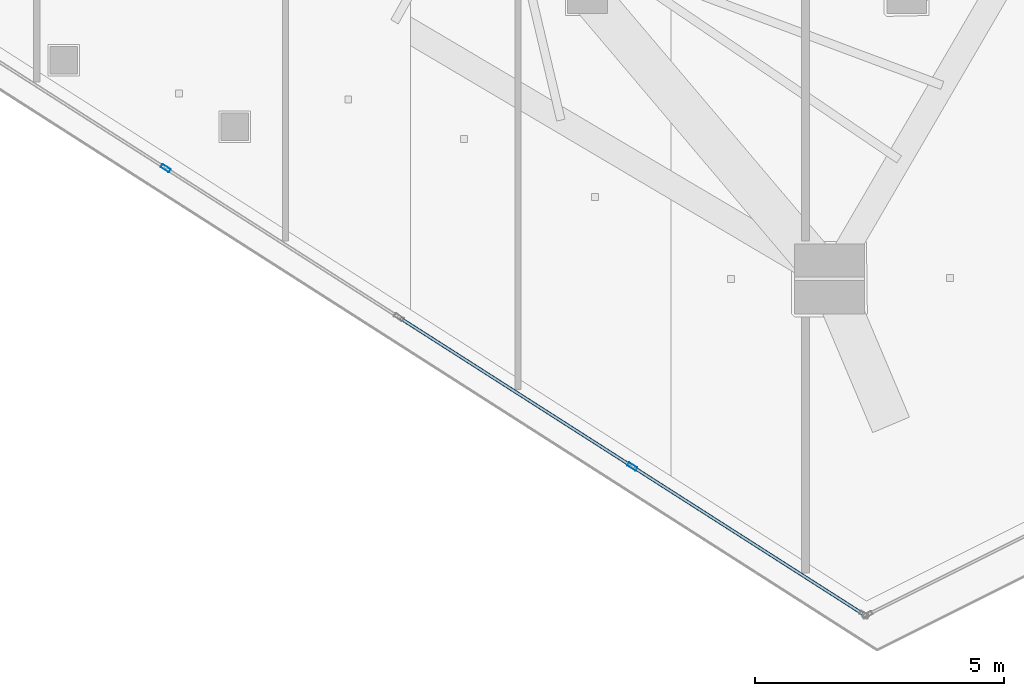
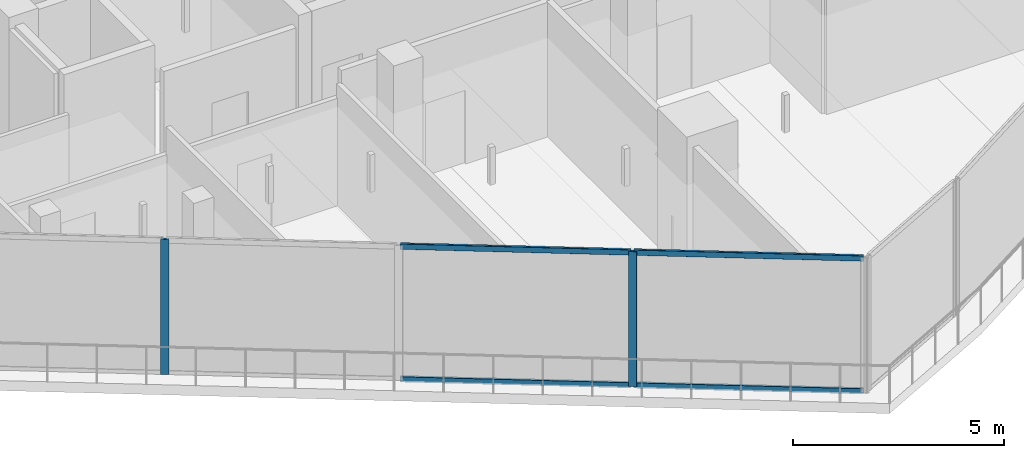
# One storey, part 3 of 29: 6 members, 1 element without a shape of its own.
"""IFC4 building model written with IfcOpenShell, lengths in metres."""

from ifc_helpers import new_model, si_unit, direction, frame, origin, origin_2d, place, context, subcontext, project, spatial, hollow_rectangle, extrude, material, layer, layer_set, material_profile, profile_set, type_object, element, aggregate, save


model = new_model("IFC4")

# Units and contexts
model_context = context("Model", 3, precision=1e-05, world=origin(), true_north=direction((0.0, 1.0)))
body_context = subcontext(model_context, "Body", "Model", "MODEL_VIEW")
ifc_project = project(units=[si_unit("LENGTHUNIT", "METRE"), si_unit("AREAUNIT", "SQUARE_METRE"), si_unit("VOLUMEUNIT", "CUBIC_METRE"), si_unit("PLANEANGLEUNIT", "RADIAN"), si_unit("MASSUNIT", "GRAM", prefix="KILO")], contexts=[model_context])

# Site, building, storey
site_placement = place(None, origin())
site = spatial("IfcSite", under=ifc_project, at=site_placement, CompositionType="ELEMENT")
building_placement = place(site_placement, origin())
building = spatial("IfcBuilding", under=site, at=building_placement, Name="Qorvath Tower", CompositionType="ELEMENT")
storey_placement = place(building_placement, frame((0.0, 0.0, 285.0)))
storey = spatial("IfcBuildingStorey", under=building, at=storey_placement, Name="L66", CompositionType="ELEMENT", Elevation=285.0)

# Curtain wall, members
ifc_material_1 = material(Name="Anodised aluminium and triple low-E glass", Category="aluminium")
ifc_layer = layer(ifc_material_1, 0.179931640625)
ifc_layer_set = layer_set([ifc_layer], Name="CW-SYS-4")
curtain_wall_type = type_object("IfcCurtainWallType", Name="CW-SYS-4", PredefinedType="NOTDEFINED", material=ifc_layer_set)
curtain_wall_placement = place(storey_placement, origin())
curtain_wall = element("IfcCurtainWall", 1, at=curtain_wall_placement, inside=storey, type_object=curtain_wall_type, Name="Curtain Wall CW-4 CW-T-L66-2.1", PredefinedType="NOTDEFINED")
ifc_material_2 = material(Name="Anodised aluminium 6063-T6", Category="aluminium")
ifc_material_profile_1 = material_profile(ifc_material_2, hollow_rectangle(XDim=0.074951171875, YDim=0.199951171875, WallThickness=0.00390625, InnerFilletRadius=0.00390625, OuterFilletRadius=0.008056640625, at=origin_2d()), Name="CWM 200x75")
ifc_profile_set_1 = profile_set([ifc_material_profile_1], Name="Anodised aluminium 6063-T6")
member_type_1 = type_object("IfcMemberType", Name="CWM-200", PredefinedType="MULLION", material=ifc_profile_set_1)
member_1_placement = place(storey_placement, frame((-32.0634765625, -14.95556640625, 0.0), z_axis=(0.0, 0.0, 1.0), x_axis=(0.538532094557, 0.842604998283, 0.0)))
member_1 = element("IfcMember", 2, at=member_1_placement, type_object=member_type_1, Name="CW-4 mullion 5", PredefinedType="MULLION", context=body_context, shape_type="SweptSolid", body=[
    extrude(hollow_rectangle(XDim=0.074951171875, YDim=0.199951171875, WallThickness=0.00390625, InnerFilletRadius=0.00390625, OuterFilletRadius=0.008056640625, at=origin_2d()), origin(), (0.0, 0.0, 1.0), 3.909912109375),
])
member_2_placement = place(storey_placement, frame((-22.70361328125, -20.937744140625, 0.0), z_axis=(0.0, 0.0, 1.0), x_axis=(0.538532094557, 0.842604998283, 0.0)))
member_2 = element("IfcMember", 3, at=member_2_placement, type_object=member_type_1, Name="CW-4 mullion 7", PredefinedType="MULLION", context=body_context, shape_type="SweptSolid", body=[
    extrude(hollow_rectangle(XDim=0.074951171875, YDim=0.199951171875, WallThickness=0.00390625, InnerFilletRadius=0.00390625, OuterFilletRadius=0.008056640625, at=origin_2d()), origin(), (0.0, 0.0, 1.0), 3.909912109375),
])
ifc_material_3 = material(Name="Anodised aluminium 6063-T6", Category="aluminium")
ifc_material_profile_2 = material_profile(ifc_material_3, hollow_rectangle(XDim=0.06494140625, YDim=0.159912109375, WallThickness=0.00341796875, InnerFilletRadius=0.00341796875, OuterFilletRadius=0.007080078125, at=origin_2d()), Name="CWT 160x65")
ifc_profile_set_2 = profile_set([ifc_material_profile_2], Name="Anodised aluminium 6063-T6")
member_type_2 = type_object("IfcMemberType", Name="CWT-160", PredefinedType="USERDEFINED", material=ifc_profile_set_2)
member_3_placement = place(storey_placement, frame((-27.35205078125, -17.966796875, 0.032470703125), z_axis=(0.842615950321, -0.538514958256, 0.0), x_axis=(0.538514958256, 0.842615950321, 0.0)))
member_3 = element("IfcMember", 4, at=member_3_placement, type_object=member_type_2, Name="CW-4 transom 6.1", ObjectType="TRANSOM", PredefinedType="USERDEFINED", context=body_context, shape_type="SweptSolid", body=[
    extrude(hollow_rectangle(XDim=0.06494140625, YDim=0.159912109375, WallThickness=0.00341796875, InnerFilletRadius=0.00341796875, OuterFilletRadius=0.007080078125, at=origin_2d()), origin(), (0.0, 0.0, 1.0), 5.479248046875),
])
member_4_placement = place(storey_placement, frame((-27.35205078125, -17.966796875, 3.87744140625), z_axis=(0.842615950321, -0.538514958256, 0.0), x_axis=(0.538514958256, 0.842615950321, 0.0)))
member_4 = element("IfcMember", 5, at=member_4_placement, type_object=member_type_2, Name="CW-4 transom 6.2", ObjectType="TRANSOM", PredefinedType="USERDEFINED", context=body_context, shape_type="SweptSolid", body=[
    extrude(hollow_rectangle(XDim=0.06494140625, YDim=0.159912109375, WallThickness=0.00341796875, InnerFilletRadius=0.00341796875, OuterFilletRadius=0.007080078125, at=origin_2d()), origin(), (0.0, 0.0, 1.0), 5.479248046875),
])
member_5_placement = place(storey_placement, frame((-22.672119140625, -20.957763671875, 0.032470703125), z_axis=(0.842593905123, -0.538549450886, 0.0), x_axis=(0.538549450886, 0.842593905123, 0.0)))
member_5 = element("IfcMember", 6, at=member_5_placement, type_object=member_type_2, Name="CW-4 transom 7.1", ObjectType="TRANSOM", PredefinedType="USERDEFINED", context=body_context, shape_type="SweptSolid", body=[
    extrude(hollow_rectangle(XDim=0.06494140625, YDim=0.159912109375, WallThickness=0.00341796875, InnerFilletRadius=0.00341796875, OuterFilletRadius=0.007080078125, at=origin_2d()), origin(), (0.0, 0.0, 1.0), 5.44189453125),
])
member_6_placement = place(storey_placement, frame((-22.672119140625, -20.957763671875, 3.87744140625), z_axis=(0.842593905123, -0.538549450886, 0.0), x_axis=(0.538549450886, 0.842593905123, 0.0)))
member_6 = element("IfcMember", 7, at=member_6_placement, type_object=member_type_2, Name="CW-4 transom 7.2", ObjectType="TRANSOM", PredefinedType="USERDEFINED", context=body_context, shape_type="SweptSolid", body=[
    extrude(hollow_rectangle(XDim=0.06494140625, YDim=0.159912109375, WallThickness=0.00341796875, InnerFilletRadius=0.00341796875, OuterFilletRadius=0.007080078125, at=origin_2d()), origin(), (0.0, 0.0, 1.0), 5.44189453125),
])
aggregate(curtain_wall, [member_1, member_2, member_3, member_4, member_5, member_6])

save(model, "model.ifc")
